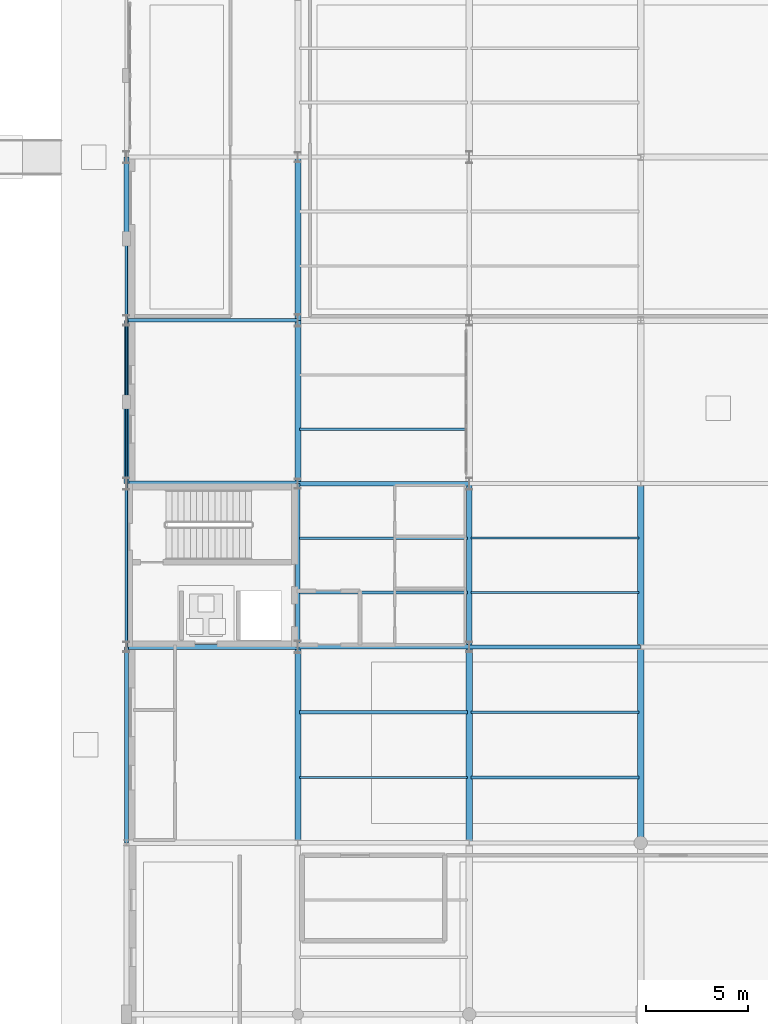
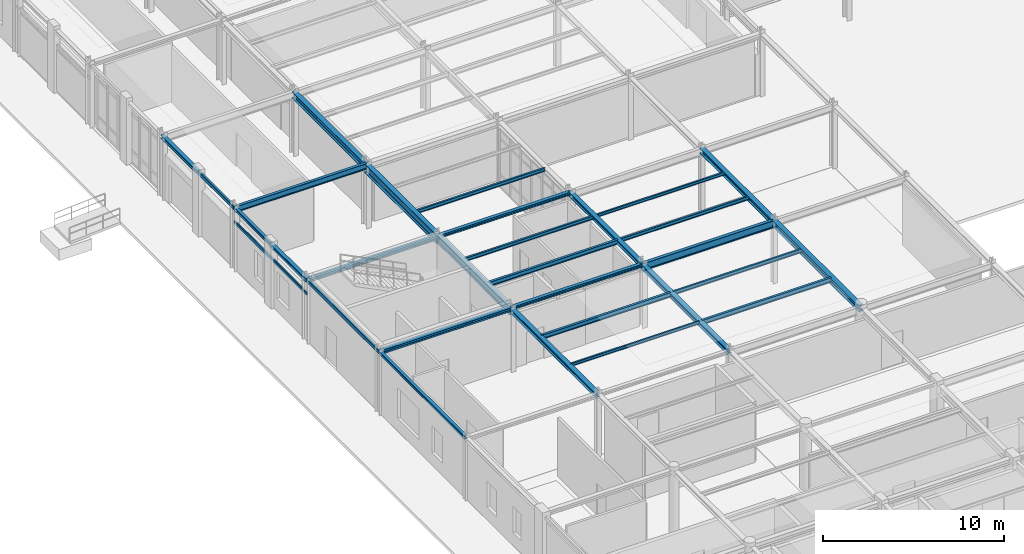
# One storey, part 26 of 101: 30 beams.
"""IFC4 building model written with IfcOpenShell, lengths in metres."""

from ifc_helpers import new_model, si_unit, derived_unit, direction, frame, origin, origin_2d, place, context, subcontext, project, spatial, hollow_rectangle, i_section, extrude, material, material_profile, profile_set, type_object, element, save


model = new_model("IFC4")

# Units and contexts
model_context = context("Model", 3, precision=1e-05, world=origin(), true_north=direction((0.0, 1.0)))
body_context = subcontext(model_context, "Body", "Model", "MODEL_VIEW")
ifc_project = project(units=[si_unit("LENGTHUNIT", "METRE"), si_unit("AREAUNIT", "SQUARE_METRE"), si_unit("VOLUMEUNIT", "CUBIC_METRE"), si_unit("PLANEANGLEUNIT", "RADIAN"), si_unit("MASSUNIT", "GRAM", prefix="KILO"), derived_unit("THERMALTRANSMITTANCEUNIT", [(si_unit("POWERUNIT", "WATT"), 1), (si_unit("AREAUNIT", "SQUARE_METRE"), -1), (si_unit("THERMODYNAMICTEMPERATUREUNIT", "KELVIN"), -1)])], contexts=[model_context])

# Site, building, storey
site_placement = place(None, origin())
site = spatial("IfcSite", under=ifc_project, at=site_placement, CompositionType="ELEMENT")
building_placement = place(site_placement, origin())
building = spatial("IfcBuilding", under=site, at=building_placement, Name="Yasenodar Specialist Clinic", CompositionType="ELEMENT")
storey_placement = place(building_placement, origin())
storey = spatial("IfcBuildingStorey", under=building, at=storey_placement, Name="L00", CompositionType="ELEMENT", Elevation=0.0)

# Beams
ifc_material = material(Name="Steel S355", Category="steel")
ifc_material_profile_1 = material_profile(ifc_material, i_section(OverallWidth=0.219970703125, OverallDepth=0.2099609375, WebThickness=0.007080078125, FlangeThickness=0.010986328125, FilletRadius=0.01806640625, at=origin_2d()), Name="HEA 220")
ifc_profile_set_1 = profile_set([ifc_material_profile_1], Name="Steel S355")
beam_type_1 = type_object("IfcBeamType", Name="BM-HEA220", PredefinedType="BEAM", material=ifc_profile_set_1)
for number, where, z_axis, x_axis, name in (
    (1, (8.39990234375, 34.800048828125, 4.14501953125), (1.0, 0.0, 0.0), (0.0, 1.0, 0.0), "L00 Primary E-W Girder"),
    (2, (8.39990234375, 42.800048828125, 4.14501953125), (1.0, 0.0, 0.0), (0.0, 1.0, 0.0), "L00 Primary E-W Girder"),
):
    element("IfcBeam", number, at=place(storey_placement, frame(where, z_axis=z_axis, x_axis=x_axis)), inside=storey, type_object=beam_type_1, Name=name, PredefinedType="BEAM", context=body_context, shape_type="SweptSolid", body=[
        extrude(i_section(OverallWidth=0.219970703125, OverallDepth=0.2099609375, WebThickness=0.007080078125, FlangeThickness=0.010986328125, FilletRadius=0.01806640625, at=origin_2d()), origin(), (0.0, 0.0, 1.0), 8.400146484375),
    ])
ifc_material_profile_2 = material_profile(ifc_material, i_section(OverallWidth=0.260009765625, OverallDepth=0.25, WebThickness=0.007568359375, FlangeThickness=0.012451171875, FilletRadius=0.02392578125, at=origin_2d()), Name="HEA 260")
ifc_profile_set_2 = profile_set([ifc_material_profile_2], Name="Steel S355")
beam_type_2 = type_object("IfcBeamType", Name="BM-HEA260", PredefinedType="BEAM", material=ifc_profile_set_2)
for number, where, z_axis, x_axis, name in (
    (3, (0.0, 34.800048828125, 4.125), (1.0, 0.0, 0.0), (0.0, 1.0, 0.0), "L00 Primary E-W Girder"),
    (4, (0.0, 42.800048828125, 4.125), (1.0, 0.0, 0.0), (0.0, 1.0, 0.0), "L00 Primary E-W Girder"),
):
    element("IfcBeam", number, at=place(storey_placement, frame(where, z_axis=z_axis, x_axis=x_axis)), inside=storey, type_object=beam_type_2, Name=name, PredefinedType="BEAM", context=body_context, shape_type="SweptSolid", body=[
        extrude(i_section(OverallWidth=0.260009765625, OverallDepth=0.25, WebThickness=0.007568359375, FlangeThickness=0.012451171875, FilletRadius=0.02392578125, at=origin_2d()), origin(), (0.0, 0.0, 1.0), 8.39990234375),
    ])
ifc_material_profile_3 = material_profile(ifc_material, i_section(OverallWidth=0.300048828125, OverallDepth=0.2900390625, WebThickness=0.008544921875, FlangeThickness=0.013916015625, FilletRadius=0.027099609375, at=origin_2d()), Name="HEA 300")
ifc_profile_set_3 = profile_set([ifc_material_profile_3], Name="Steel S355")
beam_type_3 = type_object("IfcBeamType", Name="BM-HEA300", PredefinedType="BEAM", material=ifc_profile_set_3)
beam_1_placement = place(storey_placement, frame((8.39990234375, 25.199951171875, 4.090087890625), z_axis=(0.0, 1.0, 0.0), x_axis=(-1.0, 0.0, 0.0)))
element("IfcBeam", 5, at=beam_1_placement, inside=storey, type_object=beam_type_3, Name="L00 Primary N-S Girder", PredefinedType="BEAM", context=body_context, shape_type="SweptSolid", body=[
    extrude(i_section(OverallWidth=0.300048828125, OverallDepth=0.2900390625, WebThickness=0.008544921875, FlangeThickness=0.013916015625, FilletRadius=0.027099609375, at=origin_2d()), origin(), (0.0, 0.0, 1.0), 9.60009765625),
])
ifc_material_profile_4 = material_profile(ifc_material, i_section(OverallWidth=0.280029296875, OverallDepth=0.280029296875, WebThickness=0.010498046875, FlangeThickness=0.01806640625, FilletRadius=0.02392578125, at=origin_2d()), Name="HEB 280")
ifc_profile_set_4 = profile_set([ifc_material_profile_4], Name="Steel S355")
beam_type_4 = type_object("IfcBeamType", Name="BM-HEB280", PredefinedType="BEAM", material=ifc_profile_set_4)
beam_2_placement = place(storey_placement, frame((16.800048828125, 34.800048828125, 4.110107421875), z_axis=(0.0, 1.0, 0.0), x_axis=(-1.0, 0.0, 0.0)))
element("IfcBeam", 6, at=beam_2_placement, inside=storey, type_object=beam_type_4, Name="L00 Primary N-S Girder", PredefinedType="BEAM", context=body_context, shape_type="SweptSolid", body=[
    extrude(i_section(OverallWidth=0.280029296875, OverallDepth=0.280029296875, WebThickness=0.010498046875, FlangeThickness=0.01806640625, FilletRadius=0.02392578125, at=origin_2d()), origin(), (0.0, 0.0, 1.0), 8.0),
])
ifc_material_profile_5 = material_profile(ifc_material, i_section(OverallWidth=0.300048828125, OverallDepth=0.300048828125, WebThickness=0.010986328125, FlangeThickness=0.01904296875, FilletRadius=0.027099609375, at=origin_2d()), Name="HEB 300")
ifc_profile_set_5 = profile_set([ifc_material_profile_5], Name="Steel S355")
beam_type_5 = type_object("IfcBeamType", Name="BM-HEB300", PredefinedType="BEAM", material=ifc_profile_set_5)
beam_3_placement = place(storey_placement, frame((16.800048828125, 25.199951171875, 4.0849609375), z_axis=(0.0, 1.0, 0.0), x_axis=(-1.0, 0.0, 0.0)))
element("IfcBeam", 7, at=beam_3_placement, inside=storey, type_object=beam_type_5, Name="L00 Primary N-S Girder", PredefinedType="BEAM", context=body_context, shape_type="SweptSolid", body=[
    extrude(i_section(OverallWidth=0.300048828125, OverallDepth=0.300048828125, WebThickness=0.010986328125, FlangeThickness=0.01904296875, FilletRadius=0.027099609375, at=origin_2d()), origin(), (0.0, 0.0, 1.0), 9.60009765625),
])
ifc_material_profile_6 = material_profile(ifc_material, i_section(OverallWidth=0.300048828125, OverallDepth=0.340087890625, WebThickness=0.011962890625, FlangeThickness=0.021484375, FilletRadius=0.027099609375, at=origin_2d()), Name="HEB 340")
ifc_profile_set_6 = profile_set([ifc_material_profile_6], Name="Steel S355")
beam_type_6 = type_object("IfcBeamType", Name="BM-HEB340", PredefinedType="BEAM", material=ifc_profile_set_6)
beam_4_placement = place(storey_placement, frame((25.199951171875, 34.800048828125, 4.080078125), z_axis=(0.0, 1.0, 0.0), x_axis=(-1.0, 0.0, 0.0)))
element("IfcBeam", 8, at=beam_4_placement, inside=storey, type_object=beam_type_6, Name="L00 Primary N-S Girder", PredefinedType="BEAM", context=body_context, shape_type="SweptSolid", body=[
    extrude(i_section(OverallWidth=0.300048828125, OverallDepth=0.340087890625, WebThickness=0.011962890625, FlangeThickness=0.021484375, FilletRadius=0.027099609375, at=origin_2d()), origin(), (0.0, 0.0, 1.0), 8.0),
])
ifc_material_profile_7 = material_profile(ifc_material, i_section(OverallWidth=0.300048828125, OverallDepth=0.39990234375, WebThickness=0.013427734375, FlangeThickness=0.02392578125, FilletRadius=0.027099609375, at=origin_2d()), Name="HEB 400")
ifc_profile_set_7 = profile_set([ifc_material_profile_7], Name="Steel S355")
beam_type_7 = type_object("IfcBeamType", Name="BM-HEB400", PredefinedType="BEAM", material=ifc_profile_set_7)
beam_5_placement = place(storey_placement, frame((25.199951171875, 25.199951171875, 4.050048828125), z_axis=(0.0, 1.0, 0.0), x_axis=(-1.0, 0.0, 0.0)))
element("IfcBeam", 9, at=beam_5_placement, inside=storey, type_object=beam_type_7, Name="L00 Primary N-S Girder", PredefinedType="BEAM", context=body_context, shape_type="SweptSolid", body=[
    extrude(i_section(OverallWidth=0.300048828125, OverallDepth=0.39990234375, WebThickness=0.013427734375, FlangeThickness=0.02392578125, FilletRadius=0.027099609375, at=origin_2d()), origin(), (0.0, 0.0, 1.0), 9.60009765625),
])
ifc_material_profile_8 = material_profile(ifc_material, i_section(OverallWidth=0.300048828125, OverallDepth=0.449951171875, WebThickness=0.013916015625, FlangeThickness=0.02587890625, FilletRadius=0.027099609375, at=origin_2d()), Name="HEB 450")
ifc_profile_set_8 = profile_set([ifc_material_profile_8], Name="Steel S355")
beam_type_8 = type_object("IfcBeamType", Name="BM-HEB450", PredefinedType="BEAM", material=ifc_profile_set_8)
beam_6_placement = place(storey_placement, frame((8.39990234375, 50.800048828125, 4.02490234375), z_axis=(0.0, 1.0, 0.0), x_axis=(-1.0, 0.0, 0.0)))
element("IfcBeam", 10, at=beam_6_placement, inside=storey, type_object=beam_type_8, Name="L00 Primary N-S Girder", PredefinedType="BEAM", context=body_context, shape_type="SweptSolid", body=[
    extrude(i_section(OverallWidth=0.300048828125, OverallDepth=0.449951171875, WebThickness=0.013916015625, FlangeThickness=0.02587890625, FilletRadius=0.027099609375, at=origin_2d()), origin(), (0.0, 0.0, 1.0), 8.0),
])
ifc_material_profile_9 = material_profile(ifc_material, i_section(OverallWidth=0.300048828125, OverallDepth=0.60009765625, WebThickness=0.015380859375, FlangeThickness=0.030029296875, FilletRadius=0.027099609375, at=origin_2d()), Name="HEB 600")
ifc_profile_set_9 = profile_set([ifc_material_profile_9], Name="Steel S355")
beam_type_9 = type_object("IfcBeamType", Name="BM-HEB600", PredefinedType="BEAM", material=ifc_profile_set_9)
beam_7_placement = place(storey_placement, frame((8.39990234375, 42.800048828125, 3.949951171875), z_axis=(0.0, 1.0, 0.0), x_axis=(-1.0, 0.0, 0.0)))
element("IfcBeam", 11, at=beam_7_placement, inside=storey, type_object=beam_type_9, Name="L00 Primary N-S Girder", PredefinedType="BEAM", context=body_context, shape_type="SweptSolid", body=[
    extrude(i_section(OverallWidth=0.300048828125, OverallDepth=0.60009765625, WebThickness=0.015380859375, FlangeThickness=0.030029296875, FilletRadius=0.027099609375, at=origin_2d()), origin(), (0.0, 0.0, 1.0), 8.0),
])
ifc_material_profile_10 = material_profile(ifc_material, i_section(OverallWidth=0.179931640625, OverallDepth=0.39990234375, WebThickness=0.008544921875, FlangeThickness=0.013427734375, FilletRadius=0.02099609375, at=origin_2d()), Name="IPE 400")
ifc_profile_set_10 = profile_set([ifc_material_profile_10], Name="Steel S355")
beam_type_10 = type_object("IfcBeamType", Name="BM-IPE400", PredefinedType="BEAM", material=ifc_profile_set_10)
beam_8_placement = place(storey_placement, frame((0.0, 50.800048828125, 4.050048828125), z_axis=(1.0, 0.0, 0.0), x_axis=(0.0, 1.0, 0.0)))
element("IfcBeam", 12, at=beam_8_placement, inside=storey, type_object=beam_type_10, Name="L00 Primary E-W Girder", PredefinedType="BEAM", context=body_context, shape_type="SweptSolid", body=[
    extrude(i_section(OverallWidth=0.179931640625, OverallDepth=0.39990234375, WebThickness=0.008544921875, FlangeThickness=0.013427734375, FilletRadius=0.02099609375, at=origin_2d()), origin(), (0.0, 0.0, 1.0), 8.39990234375),
])
ifc_material_profile_11 = material_profile(ifc_material, i_section(OverallWidth=0.199951171875, OverallDepth=0.5, WebThickness=0.01025390625, FlangeThickness=0.01611328125, FilletRadius=0.02099609375, at=origin_2d()), Name="IPE 500")
ifc_profile_set_11 = profile_set([ifc_material_profile_11], Name="Steel S355")
beam_type_11 = type_object("IfcBeamType", Name="BM-IPE500", PredefinedType="BEAM", material=ifc_profile_set_11)
beam_9_placement = place(storey_placement, frame((16.800048828125, 34.800048828125, 4.0), z_axis=(1.0, 0.0, 0.0), x_axis=(0.0, 1.0, 0.0)))
element("IfcBeam", 13, at=beam_9_placement, inside=storey, type_object=beam_type_11, Name="L00 Primary E-W Girder", PredefinedType="BEAM", context=body_context, shape_type="SweptSolid", body=[
    extrude(i_section(OverallWidth=0.199951171875, OverallDepth=0.5, WebThickness=0.01025390625, FlangeThickness=0.01611328125, FilletRadius=0.02099609375, at=origin_2d()), origin(), (0.0, 0.0, 1.0), 8.39990234375),
])
ifc_material_profile_12 = material_profile(ifc_material, i_section(OverallWidth=0.2099609375, OverallDepth=0.550048828125, WebThickness=0.010986328125, FlangeThickness=0.01708984375, FilletRadius=0.02392578125, at=origin_2d()), Name="IPE 550")
ifc_profile_set_12 = profile_set([ifc_material_profile_12], Name="Steel S355")
beam_type_12 = type_object("IfcBeamType", Name="BM-IPE550", PredefinedType="BEAM", material=ifc_profile_set_12)
beam_10_placement = place(storey_placement, frame((8.39990234375, 34.800048828125, 3.97509765625), z_axis=(0.0, 1.0, 0.0), x_axis=(-1.0, 0.0, 0.0)))
element("IfcBeam", 14, at=beam_10_placement, inside=storey, type_object=beam_type_12, Name="L00 Primary N-S Girder", PredefinedType="BEAM", context=body_context, shape_type="SweptSolid", body=[
    extrude(i_section(OverallWidth=0.2099609375, OverallDepth=0.550048828125, WebThickness=0.010986328125, FlangeThickness=0.01708984375, FilletRadius=0.02392578125, at=origin_2d()), origin(), (0.0, 0.0, 1.0), 8.0),
])
ifc_material_profile_13 = material_profile(ifc_material, i_section(OverallWidth=0.10009765625, OverallDepth=0.199951171875, WebThickness=0.005615234375, FlangeThickness=0.008544921875, FilletRadius=0.011962890625, at=origin_2d()), Name="IPE 200")
ifc_profile_set_13 = profile_set([ifc_material_profile_13], Name="Steel S355")
beam_type_13 = type_object("IfcBeamType", Name="JS-IPE200", PredefinedType="JOIST", material=ifc_profile_set_13)
beam_11_placement = place(storey_placement, frame((8.47998046875, 28.39990234375, 4.14990234375), z_axis=(1.0, 0.0, 0.0), x_axis=(0.0, 1.0, 0.0)))
element("IfcBeam", 15, at=beam_11_placement, inside=storey, type_object=beam_type_13, Name="L00 Composite Floor Joist", PredefinedType="JOIST", context=body_context, shape_type="SweptSolid", body=[
    extrude(i_section(OverallWidth=0.10009765625, OverallDepth=0.199951171875, WebThickness=0.005615234375, FlangeThickness=0.008544921875, FilletRadius=0.011962890625, at=origin_2d()), origin(), (0.0, 0.0, 1.0), 8.239990234375),
])
beam_12_placement = place(storey_placement, frame((16.8798828125, 40.13330078125, 4.14990234375), z_axis=(1.0, 0.0, 0.0), x_axis=(0.0, 1.0, 0.0)))
element("IfcBeam", 16, at=beam_12_placement, inside=storey, type_object=beam_type_13, Name="L00 Composite Floor Joist", PredefinedType="JOIST", context=body_context, shape_type="SweptSolid", body=[
    extrude(i_section(OverallWidth=0.10009765625, OverallDepth=0.199951171875, WebThickness=0.005615234375, FlangeThickness=0.008544921875, FilletRadius=0.011962890625, at=origin_2d()), origin(), (0.0, 0.0, 1.0), 8.240234375),
])
ifc_material_profile_14 = material_profile(ifc_material, i_section(OverallWidth=0.1201171875, OverallDepth=0.239990234375, WebThickness=0.006103515625, FlangeThickness=0.009765625, FilletRadius=0.014892578125, at=origin_2d()), Name="IPE 240")
ifc_profile_set_14 = profile_set([ifc_material_profile_14], Name="Steel S355")
beam_type_14 = type_object("IfcBeamType", Name="JS-IPE240", PredefinedType="JOIST", material=ifc_profile_set_14)
for number, where, z_axis, x_axis, name in (
    (17, (8.47998046875, 40.13330078125, 4.1298828125), (1.0, 0.0, 0.0), (0.0, 1.0, 0.0), "L00 Composite Floor Joist"),
    (18, (8.47998046875, 45.466796875, 4.1298828125), (1.0, 0.0, 0.0), (0.0, 1.0, 0.0), "L00 Composite Floor Joist"),
):
    element("IfcBeam", number, at=place(storey_placement, frame(where, z_axis=z_axis, x_axis=x_axis)), inside=storey, type_object=beam_type_14, Name=name, PredefinedType="JOIST", context=body_context, shape_type="SweptSolid", body=[
        extrude(i_section(OverallWidth=0.1201171875, OverallDepth=0.239990234375, WebThickness=0.006103515625, FlangeThickness=0.009765625, FilletRadius=0.014892578125, at=origin_2d()), origin(), (0.0, 0.0, 1.0), 8.239990234375),
    ])
for number, where, z_axis, x_axis, name in (
    (19, (16.8798828125, 31.60009765625, 4.1298828125), (1.0, 0.0, 0.0), (0.0, 1.0, 0.0), "L00 Composite Floor Joist"),
    (20, (16.8798828125, 37.466796875, 4.1298828125), (1.0, 0.0, 0.0), (0.0, 1.0, 0.0), "L00 Composite Floor Joist"),
):
    element("IfcBeam", number, at=place(storey_placement, frame(where, z_axis=z_axis, x_axis=x_axis)), inside=storey, type_object=beam_type_14, Name=name, PredefinedType="JOIST", context=body_context, shape_type="SweptSolid", body=[
        extrude(i_section(OverallWidth=0.1201171875, OverallDepth=0.239990234375, WebThickness=0.006103515625, FlangeThickness=0.009765625, FilletRadius=0.014892578125, at=origin_2d()), origin(), (0.0, 0.0, 1.0), 8.240234375),
    ])
ifc_material_profile_15 = material_profile(ifc_material, i_section(OverallWidth=0.14990234375, OverallDepth=0.300048828125, WebThickness=0.007080078125, FlangeThickness=0.0107421875, FilletRadius=0.014892578125, at=origin_2d()), Name="IPE 300")
ifc_profile_set_15 = profile_set([ifc_material_profile_15], Name="Steel S355")
beam_type_15 = type_object("IfcBeamType", Name="JS-IPE300", PredefinedType="JOIST", material=ifc_profile_set_15)
for number, where, z_axis, x_axis, name in (
    (21, (8.47998046875, 31.60009765625, 4.10009765625), (1.0, 0.0, 0.0), (0.0, 1.0, 0.0), "L00 Composite Floor Joist"),
    (22, (8.47998046875, 37.466796875, 4.10009765625), (1.0, 0.0, 0.0), (0.0, 1.0, 0.0), "L00 Composite Floor Joist"),
):
    element("IfcBeam", number, at=place(storey_placement, frame(where, z_axis=z_axis, x_axis=x_axis)), inside=storey, type_object=beam_type_15, Name=name, PredefinedType="JOIST", context=body_context, shape_type="SweptSolid", body=[
        extrude(i_section(OverallWidth=0.14990234375, OverallDepth=0.300048828125, WebThickness=0.007080078125, FlangeThickness=0.0107421875, FilletRadius=0.014892578125, at=origin_2d()), origin(), (0.0, 0.0, 1.0), 8.239990234375),
    ])
beam_13_placement = place(storey_placement, frame((16.8798828125, 28.39990234375, 4.10009765625), z_axis=(1.0, 0.0, 0.0), x_axis=(0.0, 1.0, 0.0)))
element("IfcBeam", 23, at=beam_13_placement, inside=storey, type_object=beam_type_15, Name="L00 Composite Floor Joist", PredefinedType="JOIST", context=body_context, shape_type="SweptSolid", body=[
    extrude(i_section(OverallWidth=0.14990234375, OverallDepth=0.300048828125, WebThickness=0.007080078125, FlangeThickness=0.0107421875, FilletRadius=0.014892578125, at=origin_2d()), origin(), (0.0, 0.0, 1.0), 8.240234375),
])
ifc_material_profile_16 = material_profile(ifc_material, hollow_rectangle(XDim=0.10009765625, YDim=0.199951171875, WallThickness=0.008056640625, InnerFilletRadius=0.011962890625, OuterFilletRadius=0.02001953125, at=origin_2d()), Name="RHS 200x100x8")
ifc_profile_set_16 = profile_set([ifc_material_profile_16], Name="Steel S355")
beam_type_16 = type_object("IfcBeamType", Name="LN-RHS200", PredefinedType="LINTEL", material=ifc_profile_set_16)
beam_14_placement = place(storey_placement, frame((0.0, 42.800048828125, 3.199951171875), z_axis=(0.0, 1.0, 0.0), x_axis=(-1.0, 0.0, 0.0)))
element("IfcBeam", 24, at=beam_14_placement, inside=storey, type_object=beam_type_16, Name="L00 Structural Opening Lintel", PredefinedType="LINTEL", context=body_context, shape_type="SweptSolid", body=[
    extrude(hollow_rectangle(XDim=0.10009765625, YDim=0.199951171875, WallThickness=0.008056640625, InnerFilletRadius=0.011962890625, OuterFilletRadius=0.02001953125, at=origin_2d()), origin(), (0.0, 0.0, 1.0), 8.0),
])
ifc_material_profile_17 = material_profile(ifc_material, i_section(OverallWidth=0.199951171875, OverallDepth=0.18994140625, WebThickness=0.006591796875, FlangeThickness=0.010009765625, FilletRadius=0.01806640625, at=origin_2d()), Name="HEA 200")
ifc_profile_set_17 = profile_set([ifc_material_profile_17], Name="Steel S355")
beam_type_17 = type_object("IfcBeamType", Name="SP-HEA200", PredefinedType="SPANDREL", material=ifc_profile_set_17)
beam_15_placement = place(storey_placement, frame((0.0, 25.199951171875, 4.155029296875), z_axis=(0.0, 1.0, 0.0), x_axis=(-1.0, 0.0, 0.0)))
element("IfcBeam", 25, at=beam_15_placement, inside=storey, type_object=beam_type_17, Name="L00 Perimeter Spandrel Beam", PredefinedType="SPANDREL", context=body_context, shape_type="SweptSolid", body=[
    extrude(i_section(OverallWidth=0.199951171875, OverallDepth=0.18994140625, WebThickness=0.006591796875, FlangeThickness=0.010009765625, FilletRadius=0.01806640625, at=origin_2d()), origin(), (0.0, 0.0, 1.0), 9.60009765625),
])
beam_16_placement = place(storey_placement, frame((0.0, 46.800048828125, 4.155029296875), z_axis=(0.0, 1.0, 0.0), x_axis=(-1.0, 0.0, 0.0)))
element("IfcBeam", 26, at=beam_16_placement, inside=storey, type_object=beam_type_17, Name="L00 Perimeter Spandrel Beam", PredefinedType="SPANDREL", context=body_context, shape_type="SweptSolid", body=[
    extrude(i_section(OverallWidth=0.199951171875, OverallDepth=0.18994140625, WebThickness=0.006591796875, FlangeThickness=0.010009765625, FilletRadius=0.01806640625, at=origin_2d()), origin(), (0.0, 0.0, 1.0), 4.0),
])
ifc_material_profile_18 = material_profile(ifc_material, i_section(OverallWidth=0.239990234375, OverallDepth=0.22998046875, WebThickness=0.007568359375, FlangeThickness=0.011962890625, FilletRadius=0.02099609375, at=origin_2d()), Name="HEA 240")
ifc_profile_set_18 = profile_set([ifc_material_profile_18], Name="Steel S355")
beam_type_18 = type_object("IfcBeamType", Name="SP-HEA240", PredefinedType="SPANDREL", material=ifc_profile_set_18)
for number, where, z_axis, x_axis, name in (
    (27, (0.0, 42.800048828125, 4.135009765625), (0.0, 1.0, 0.0), (-1.0, 0.0, 0.0), "L00 Perimeter Spandrel Beam"),
    (28, (0.0, 54.800048828125, 4.135009765625), (0.0, 1.0, 0.0), (-1.0, 0.0, 0.0), "L00 Perimeter Spandrel Beam"),
):
    element("IfcBeam", number, at=place(storey_placement, frame(where, z_axis=z_axis, x_axis=x_axis)), inside=storey, type_object=beam_type_18, Name=name, PredefinedType="SPANDREL", context=body_context, shape_type="SweptSolid", body=[
        extrude(i_section(OverallWidth=0.239990234375, OverallDepth=0.22998046875, WebThickness=0.007568359375, FlangeThickness=0.011962890625, FilletRadius=0.02099609375, at=origin_2d()), origin(), (0.0, 0.0, 1.0), 4.0),
    ])
ifc_material_profile_19 = material_profile(ifc_material, hollow_rectangle(XDim=0.14990234375, YDim=0.25, WallThickness=0.010009765625, InnerFilletRadius=0.014892578125, OuterFilletRadius=0.02490234375, at=origin_2d()), Name="RHS 250x150x10")
ifc_profile_set_19 = profile_set([ifc_material_profile_19], Name="Steel S355")
beam_type_19 = type_object("IfcBeamType", Name="SP-RHS250", PredefinedType="SPANDREL", material=ifc_profile_set_19)
beam_17_placement = place(storey_placement, frame((0.0, 34.800048828125, 4.125), z_axis=(0.0, 1.0, 0.0), x_axis=(-1.0, 0.0, 0.0)))
element("IfcBeam", 29, at=beam_17_placement, inside=storey, type_object=beam_type_19, Name="L00 Perimeter Spandrel Beam", PredefinedType="SPANDREL", context=body_context, shape_type="SweptSolid", body=[
    extrude(hollow_rectangle(XDim=0.14990234375, YDim=0.25, WallThickness=0.010009765625, InnerFilletRadius=0.014892578125, OuterFilletRadius=0.02490234375, at=origin_2d()), origin(), (0.0, 0.0, 1.0), 8.0),
])
beam_18_placement = place(storey_placement, frame((0.0, 50.800048828125, 4.125), z_axis=(0.0, 1.0, 0.0), x_axis=(-1.0, 0.0, 0.0)))
element("IfcBeam", 30, at=beam_18_placement, inside=storey, type_object=beam_type_19, Name="L00 Perimeter Spandrel Beam", PredefinedType="SPANDREL", context=body_context, shape_type="SweptSolid", body=[
    extrude(hollow_rectangle(XDim=0.14990234375, YDim=0.25, WallThickness=0.010009765625, InnerFilletRadius=0.014892578125, OuterFilletRadius=0.02490234375, at=origin_2d()), origin(), (0.0, 0.0, 1.0), 4.0),
])

save(model, "model.ifc")
